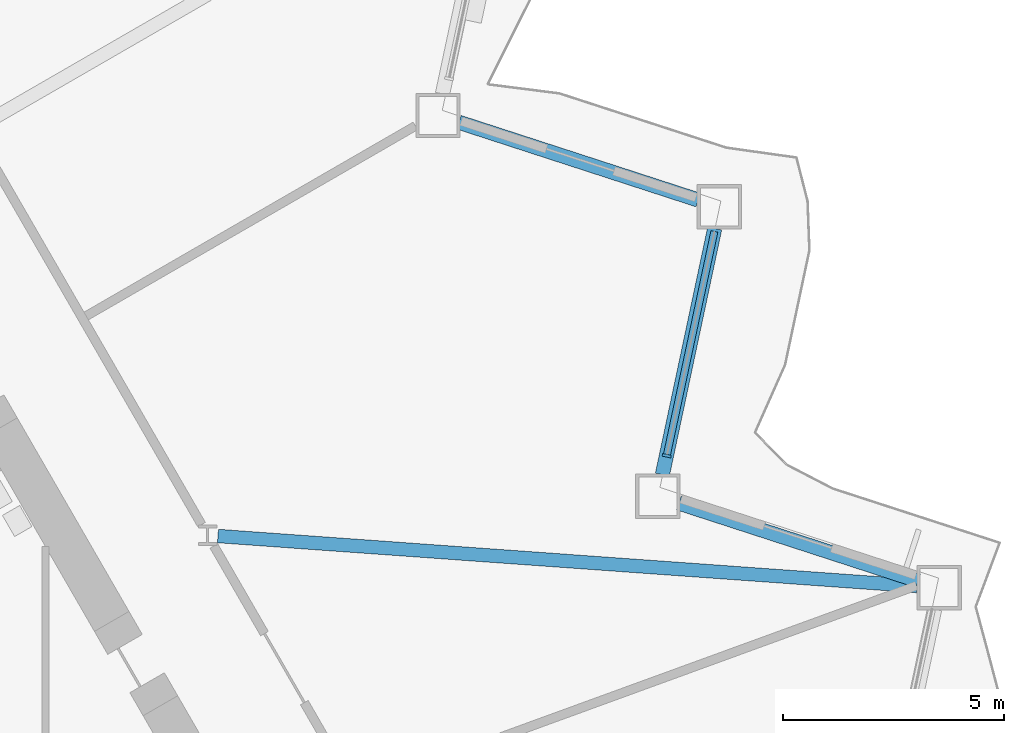
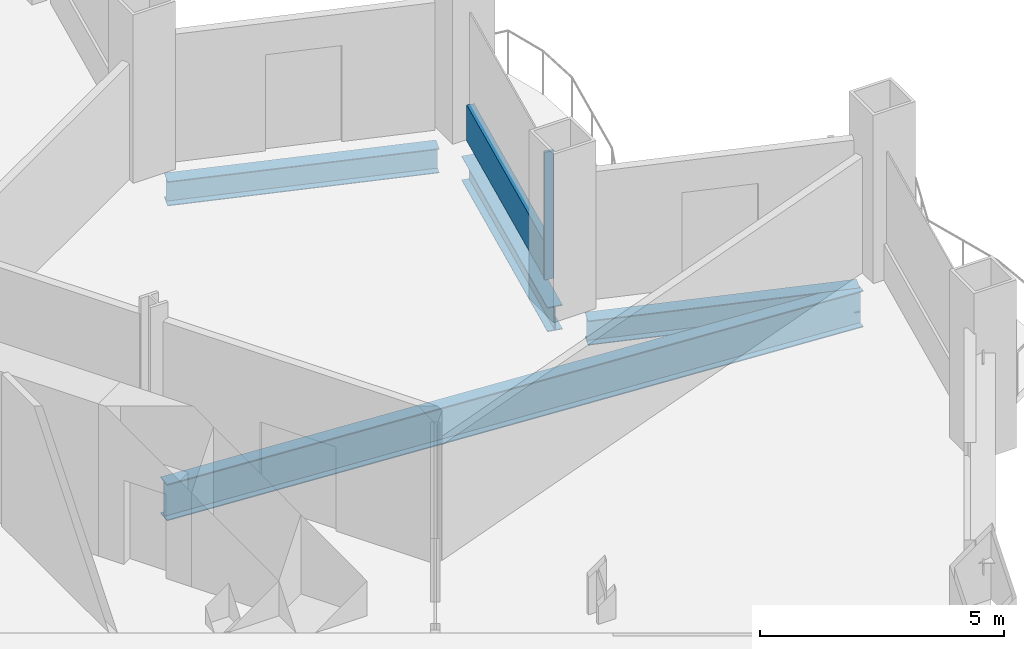
# One storey, part 5 of 21: 4 beams, 2 members, 1 element without a shape of its own.
"""IFC4 building model written with IfcOpenShell, lengths in metres."""

from ifc_helpers import new_model, si_unit, direction, frame, origin, origin_2d, place, context, subcontext, project, spatial, rectangle, i_section, extrude, material, layer, layer_set, material_profile, profile_set, type_object, element, aggregate, save


model = new_model("IFC4")

# Units and contexts
model_context = context("Model", 3, precision=1e-05, world=origin(), true_north=direction((0.0, 1.0)))
body_context = subcontext(model_context, "Body", "Model", "MODEL_VIEW")
ifc_project = project(units=[si_unit("LENGTHUNIT", "METRE"), si_unit("AREAUNIT", "SQUARE_METRE"), si_unit("VOLUMEUNIT", "CUBIC_METRE"), si_unit("PLANEANGLEUNIT", "RADIAN"), si_unit("MASSUNIT", "GRAM", prefix="KILO")], contexts=[model_context])

# Site, building, storey
site_placement = place(None, origin())
site = spatial("IfcSite", under=ifc_project, at=site_placement, CompositionType="ELEMENT")
building_placement = place(site_placement, origin())
building = spatial("IfcBuilding", under=site, at=building_placement, Name="Cormorant Prow Tower", CompositionType="ELEMENT")
storey_placement = place(building_placement, frame((0.0, 0.0, 67.800048828125)))
storey = spatial("IfcBuildingStorey", under=building, at=storey_placement, Name="L14", CompositionType="ELEMENT", Elevation=67.800048828125)

# Curtain wall, members
ifc_material_1 = material(Name="Aluminium 6063-T6", Category="aluminium")
ifc_layer = layer(ifc_material_1, 0.199951171875)
ifc_layer_set = layer_set([ifc_layer], Name="Aluminium 6063-T6")
curtain_wall_type = type_object("IfcCurtainWallType", Name="Office unitised curtain wall 200", PredefinedType="NOTDEFINED", material=ifc_layer_set)
curtain_wall_placement = place(storey_placement, origin())
curtain_wall = element("IfcCurtainWall", 1, at=curtain_wall_placement, inside=storey, type_object=curtain_wall_type, Name="Office curtain wall ENE02", PredefinedType="NOTDEFINED")
ifc_material_2 = material(Name="Aluminium 6063-T6", Category="aluminium")
ifc_material_profile_1 = material_profile(ifc_material_2, rectangle(XDim=0.199951171875, YDim=0.06005859375, at=origin_2d()), Name="Office mullion 60x200")
ifc_profile_set_1 = profile_set([ifc_material_profile_1], Name="Aluminium 6063-T6")
member_type_1 = type_object("IfcMemberType", Name="Office mullion 60x200", PredefinedType="MULLION", material=ifc_profile_set_1)
member_1_placement = place(storey_placement, frame((26.2353515625, -1.257080078125, 0.0), z_axis=(0.0, 0.0, 1.0), x_axis=(-0.978147586919, 0.20791175581, 0.0)))
member_1 = element("IfcMember", 2, at=member_1_placement, type_object=member_type_1, Name="Office mullion ENE02", PredefinedType="MULLION", context=body_context, shape_type="SweptSolid", body=[
    extrude(rectangle(XDim=0.199951171875, YDim=0.06005859375, at=origin_2d()), origin(), (0.0, 0.0, 1.0), 3.18896484375),
])
ifc_material_3 = material(Name="Terracotta", Category="masonry")
ifc_material_profile_2 = material_profile(ifc_material_3, rectangle(XDim=0.159912109375, YDim=0.89990234375, at=origin_2d()), Name="Office terracotta spandrel rail 160x900")
ifc_profile_set_2 = profile_set([ifc_material_profile_2], Name="Terracotta")
member_type_2 = type_object("IfcMemberType", Name="Office terracotta spandrel rail 160x900", PredefinedType="USERDEFINED", material=ifc_profile_set_2)
member_2_placement = place(storey_placement, frame((26.24169921875, -1.227783203125, 0.449951171875), z_axis=(0.207897305086, 0.978150658405, 0.0), x_axis=(-0.978150658405, 0.207897305086, 0.0)))
member_2 = element("IfcMember", 3, at=member_2_placement, type_object=member_type_2, Name="Office spandrel rail ENE02", ObjectType="TRANSOM", PredefinedType="USERDEFINED", context=body_context, shape_type="SweptSolid", body=[
    extrude(rectangle(XDim=0.159912109375, YDim=0.89990234375, at=origin_2d()), origin(), (0.0, 0.0, 1.0), 5.150634765625),
])
aggregate(curtain_wall, [member_1, member_2])

# Beams
ifc_material_4 = material(Name="Structural steel ASTM A992 Gr 50", Category="steel")
ifc_material_profile_3 = material_profile(ifc_material_4, i_section(OverallWidth=0.3046875, OverallDepth=0.914794921875, WebThickness=0.0166015625, FlangeThickness=0.02587890625, at=origin_2d()), Name="W36x160")
ifc_profile_set_3 = profile_set([ifc_material_profile_3], Name="Structural steel ASTM A992 Gr 50")
beam_type_1 = type_object("IfcBeamType", Name="Radial floor beam W36x160", PredefinedType="BEAM", material=ifc_profile_set_3)
beam_1_placement = place(storey_placement, frame((16.099365234375, -3.0703125, -0.857421875), z_axis=(0.997443412532, -0.071460750045, 0.0), x_axis=(0.071460750045, 0.997443412532, 0.0)))
element("IfcBeam", 4, at=beam_1_placement, inside=storey, type_object=beam_type_1, Name="Radial floor beam FB1 10 L14", PredefinedType="BEAM", context=body_context, shape_type="SweptSolid", body=[
    extrude(i_section(OverallWidth=0.3046875, OverallDepth=0.914794921875, WebThickness=0.0166015625, FlangeThickness=0.02587890625, at=origin_2d()), origin(), (0.0, 0.0, 1.0), 15.831787109375),
])
ifc_material_5 = material(Name="Structural steel ASTM A992 Gr 50", Category="steel")
ifc_material_profile_4 = material_profile(ifc_material_5, i_section(OverallWidth=0.32373046875, OverallDepth=0.611083984375, WebThickness=0.0126953125, FlangeThickness=0.01904296875, at=origin_2d()), Name="W24x104")
ifc_profile_set_4 = profile_set([ifc_material_profile_4], Name="Structural steel ASTM A992 Gr 50")
beam_type_2 = type_object("IfcBeamType", Name="Spandrel beam W24x104", PredefinedType="SPANDREL", material=ifc_profile_set_4)
beam_2_placement = place(storey_placement, frame((31.913818359375, -4.082763671875, -0.70556640625), z_axis=(-0.951049222751, 0.309039440696, 0.0), x_axis=(-0.309039440696, -0.951049222751, 0.0)))
element("IfcBeam", 5, at=beam_2_placement, inside=storey, type_object=beam_type_2, Name="Spandrel beam SB1 ENE01-ENE02 L14", PredefinedType="SPANDREL", context=body_context, shape_type="SweptSolid", body=[
    extrude(i_section(OverallWidth=0.32373046875, OverallDepth=0.611083984375, WebThickness=0.0126953125, FlangeThickness=0.01904296875, at=origin_2d()), origin(), (0.0, 0.0, 1.0), 5.682373046875),
])
beam_3_placement = place(storey_placement, frame((26.137939453125, -1.68310546875, -0.70556640625), z_axis=(0.207900376723, 0.97815000555, 0.0), x_axis=(-0.97815000555, 0.207900376723, 0.0)))
element("IfcBeam", 6, at=beam_3_placement, inside=storey, type_object=beam_type_2, Name="Spandrel beam SB1 ENE02-ENE03 L14", PredefinedType="SPANDREL", context=body_context, shape_type="SweptSolid", body=[
    extrude(i_section(OverallWidth=0.32373046875, OverallDepth=0.611083984375, WebThickness=0.0126953125, FlangeThickness=0.01904296875, at=origin_2d()), origin(), (0.0, 0.0, 1.0), 5.6826171875),
])
beam_4_placement = place(storey_placement, frame((26.94775390625, 4.518798828125, -0.70556640625), z_axis=(-0.951061849722, 0.309000579292, 0.0), x_axis=(-0.309000579292, -0.951061849722, 0.0)))
element("IfcBeam", 7, at=beam_4_placement, inside=storey, type_object=beam_type_2, Name="Spandrel beam SB1 ENE03-ENE04 L14", PredefinedType="SPANDREL", context=body_context, shape_type="SweptSolid", body=[
    extrude(i_section(OverallWidth=0.32373046875, OverallDepth=0.611083984375, WebThickness=0.0126953125, FlangeThickness=0.01904296875, at=origin_2d()), origin(), (0.0, 0.0, 1.0), 5.682373046875),
])

save(model, "model.ifc")
